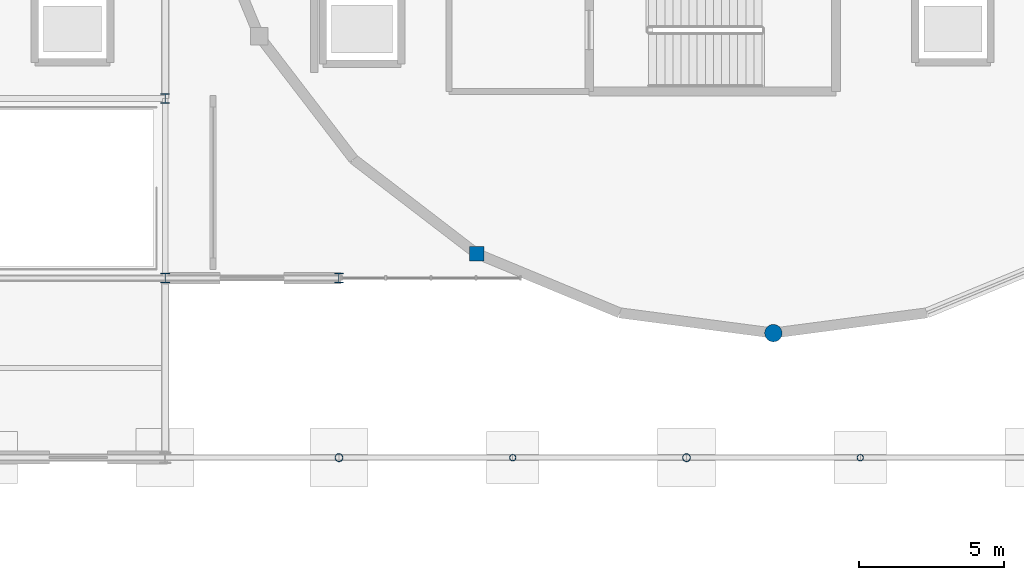
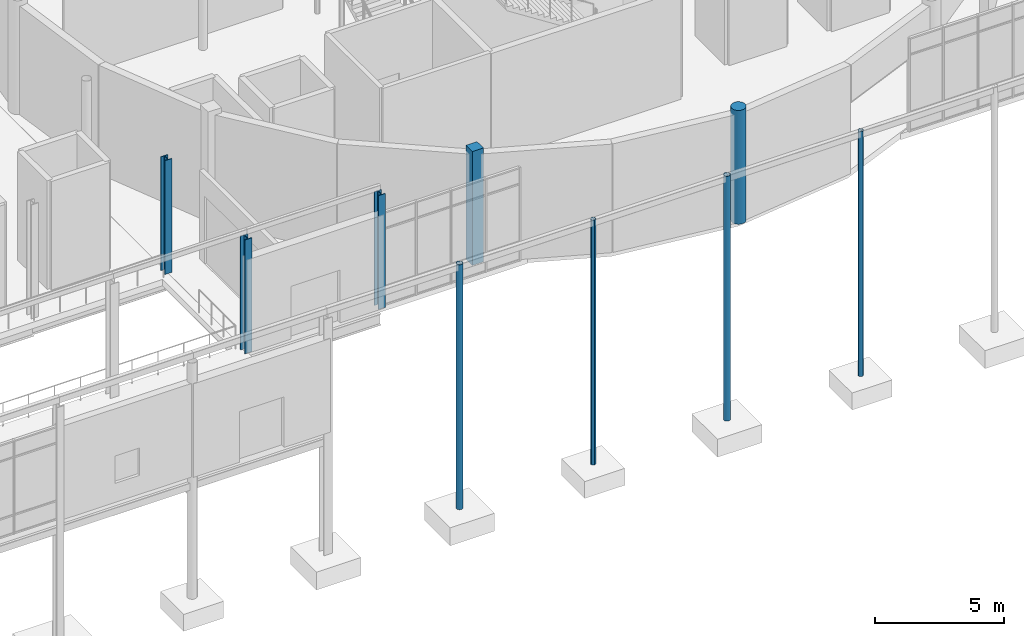
# One storey, part 10 of 98: 9 columns.
"""IFC4 building model written with IfcOpenShell, lengths in metres."""

import ifcopenshell
import ifcopenshell.guid

model = None  # the IFC model being written
_history = None  # IfcOwnerHistory: only IFC2X3 demands one
_inside = {}  # id of a spatial element -> (the spatial element, [elements in it])
_under = {}  # id of a project, library or spatial element -> (it, [spatial elements below it])
_declared = {}  # id of a project -> (the project, [libraries it declares])
_typed = {}  # id of a type object -> (the type object, [elements of that type])
_made_of = {}  # id of a material, layer set ... -> (it, [elements and type objects made of it])


def new_model(schema):
    """Start an empty IFC model of exactly this schema.

    Asked for "IFC4X3", IfcOpenShell would pick the latest addendum, in which some entities
    have other attributes; the version numbers below select the first issue.
    IFC2X3 requires an IfcOwnerHistory on every rooted entity: one is made here for all.
    """
    global model, _history
    if schema == "IFC4X3":
        model = ifcopenshell.file(schema_version=(4, 3, 0, 0))
    else:
        model = ifcopenshell.file(schema=schema)
    _inside.clear()
    _under.clear()
    _declared.clear()
    _typed.clear()
    _made_of.clear()
    _history = None
    if model.schema == "IFC2X3":
        org = make("IfcOrganization", Name="unknown")
        user = make(
            "IfcPersonAndOrganization",
            ThePerson=make("IfcPerson", FamilyName="unknown"),
            TheOrganization=org,
        )
        app = make(
            "IfcApplication",
            ApplicationDeveloper=org,
            Version="unknown",
            ApplicationFullName="unknown",
            ApplicationIdentifier="unknown",
        )
        _history = make(
            "IfcOwnerHistory",
            OwningUser=user,
            OwningApplication=app,
            ChangeAction="ADDED",
            CreationDate=0,
        )
    return model


def make(cls, **values):
    """One entity of the class cls with the attributes given. An attribute that is None is left unset."""
    return model.create_entity(
        cls, **{name: value for name, value in values.items() if value is not None}
    )


def rooted(cls, **values):
    """An entity with a GlobalId (a new one), such as an element, a storey or a relation."""
    return make(cls, GlobalId=ifcopenshell.guid.new(), OwnerHistory=_history, **values)


def si_unit(unit_type, name, prefix=None):
    """IfcSIUnit, for example si_unit("LENGTHUNIT", "METRE", prefix="MILLI")."""
    return make("IfcSIUnit", UnitType=unit_type, Prefix=prefix, Name=name)


def assignment(units):
    """IfcUnitAssignment: the units of a project."""
    return None if units is None else make("IfcUnitAssignment", Units=units)


def point(xyz):
    """IfcCartesianPoint."""
    return None if xyz is None else make("IfcCartesianPoint", Coordinates=xyz)


def direction(xyz):
    """IfcDirection."""
    return None if xyz is None else make("IfcDirection", DirectionRatios=xyz)


def frame(location, z_axis=None, x_axis=None):
    """IfcAxis2Placement3D, a coordinate frame: its origin and axes. An axis left out is left unset."""
    return make(
        "IfcAxis2Placement3D",
        Location=point(location),
        Axis=direction(z_axis),
        RefDirection=direction(x_axis),
    )


def frame_2d(location, x_axis=None):
    """IfcAxis2Placement2D, a coordinate frame in the plane: its origin and x axis."""
    return make(
        "IfcAxis2Placement2D", Location=point(location), RefDirection=direction(x_axis)
    )


def origin():
    """The frame at (0, 0, 0) with its axes left unset."""
    return frame((0.0, 0.0, 0.0))


def origin_2d():
    """The frame at (0, 0) in the plane with its x axis left unset."""
    return frame_2d((0.0, 0.0))


def place(relative_to, where):
    """IfcLocalPlacement: puts the frame where relative to a parent placement (None: the world)."""
    return make(
        "IfcLocalPlacement", PlacementRelTo=relative_to, RelativePlacement=where
    )


def context(
    kind, dimensions, precision=None, world=None, true_north=None, identifier=None
):
    """IfcGeometricRepresentationContext, for example the 3D "Model" context."""
    return make(
        "IfcGeometricRepresentationContext",
        ContextIdentifier=identifier,
        ContextType=kind,
        CoordinateSpaceDimension=dimensions,
        Precision=precision,
        WorldCoordinateSystem=world,
        TrueNorth=true_north,
    )


def subcontext(parent, identifier, kind, view, scale=None):
    """IfcGeometricRepresentationSubContext, for example "Body" below "Model"."""
    return make(
        "IfcGeometricRepresentationSubContext",
        ContextIdentifier=identifier,
        ContextType=kind,
        ParentContext=parent,
        TargetScale=scale,
        TargetView=view,
    )


def project(units=None, contexts=None):
    """IfcProject with its units and contexts."""
    return rooted(
        "IfcProject",
        Name="project",
        RepresentationContexts=contexts,
        UnitsInContext=assignment(units),
    )


def spatial(cls, under=None, at=None, **own):
    """A site, building, storey or space (cls), placed at a placement, below another one or the project."""
    s = rooted(cls, ObjectPlacement=at, **own)
    if under is not None:
        _under.setdefault(under.id(), (under, []))[1].append(s)
    return s


def profile(cls, at=None, kind="AREA", **sizes):
    """A parametric profile (cls). Its sizes go by their IFC names, for example OverallWidth=200.0."""
    return make(cls, ProfileType=kind, Position=at, **sizes)


def rectangle(**sizes):
    """IfcRectangleProfileDef."""
    return profile("IfcRectangleProfileDef", **sizes)


def circle(**sizes):
    """IfcCircleProfileDef."""
    return profile("IfcCircleProfileDef", **sizes)


def hollow_circle(**sizes):
    """IfcCircleHollowProfileDef."""
    return profile("IfcCircleHollowProfileDef", **sizes)


def i_section(**sizes):
    """IfcIShapeProfileDef."""
    return profile("IfcIShapeProfileDef", **sizes)


def extrude(swept, where, along, depth):
    """IfcExtrudedAreaSolid: the profile swept, set in the frame where, extruded along a direction by depth."""
    return make(
        "IfcExtrudedAreaSolid",
        SweptArea=swept,
        Position=where,
        ExtrudedDirection=direction(along),
        Depth=depth,
    )


def shape(context_of_items, identifier, shape_type, items):
    """IfcShapeRepresentation: the items that make up one representation, for example the "Body"."""
    return make(
        "IfcShapeRepresentation",
        ContextOfItems=context_of_items,
        RepresentationIdentifier=identifier,
        RepresentationType=shape_type,
        Items=items,
    )


def material(Name=None, Category=None):
    """IfcMaterial."""
    return make("IfcMaterial", Name=Name, Category=Category)


def material_profile(
    of_material, cross_section, Name=None, Category=None, Priority=None
):
    """IfcMaterialProfile: a cross section and its material."""
    return make(
        "IfcMaterialProfile",
        Name=Name,
        Material=of_material,
        Profile=cross_section,
        Priority=Priority,
        Category=Category,
    )


def profile_set(profiles, Name=None, composite=None):
    """IfcMaterialProfileSet."""
    return make(
        "IfcMaterialProfileSet",
        Name=Name,
        MaterialProfiles=profiles,
        CompositeProfile=composite,
    )


def made_of(thing, what):
    """Note that an element or type object is made of a material, layer set ...; save() writes the relation."""
    if what is not None:
        _made_of.setdefault(what.id(), (what, []))[1].append(thing)
    return thing


def type_object(cls, material=None, **own):
    """A type object (cls), such as IfcWallType, which elements share."""
    return made_of(rooted(cls, **own), material)


def element(
    cls,
    number,
    at=None,
    inside=None,
    cuts=None,
    type_object=None,
    material=None,
    context=None,
    identifier="Body",
    shape_type=None,
    held_by="IfcProductDefinitionShape",
    body=None,
    shapes=None,
    **own,
):
    """One element of the class cls, such as IfcWall. Its Tag is "e" and its number.

    at: its placement. inside: the storey or other place that contains it. cuts: it is an
    opening in that element (IfcRelVoidsElement). A single representation is given by context,
    identifier, shape_type and body (its items); several are given by shapes. held_by: the class
    of the entity that holds the representations. save() writes the other relations.
    """
    e = rooted(cls, Tag="e%d" % number, ObjectPlacement=at, **own)
    if body is not None:
        shapes = [shape(context, identifier, shape_type, body)]
    if shapes is not None:
        e.Representation = make(held_by, Representations=shapes)
    if inside is not None:
        _inside.setdefault(inside.id(), (inside, []))[1].append(e)
    if cuts is not None:
        rooted(
            "IfcRelVoidsElement", RelatingBuildingElement=cuts, RelatedOpeningElement=e
        )
    if type_object is not None:
        _typed.setdefault(type_object.id(), (type_object, []))[1].append(e)
    return made_of(e, material)


def aggregate(whole, parts):
    """IfcRelAggregates: a whole, such as a stair, and the parts it consists of."""
    return rooted("IfcRelAggregates", RelatingObject=whole, RelatedObjects=parts)


def save(model, path):
    """Write the relations noted so far, then the file.

    IfcRelAggregates (storeys below a building ...), IfcRelContainedInSpatialStructure (elements
    in a storey), IfcRelDefinesByType, IfcRelAssociatesMaterial and IfcRelDeclares: one each for
    every whole, place, type object, material and project.
    """
    for whole, parts in _under.values():
        aggregate(whole, parts)
    for where, things in _inside.values():
        rooted(
            "IfcRelContainedInSpatialStructure",
            RelatedElements=things,
            RelatingStructure=where,
        )
    for kind, things in _typed.values():
        rooted("IfcRelDefinesByType", RelatedObjects=things, RelatingType=kind)
    for what, things in _made_of.values():
        rooted("IfcRelAssociatesMaterial", RelatedObjects=things, RelatingMaterial=what)
    for by, libraries in _declared.values():
        rooted("IfcRelDeclares", RelatingContext=by, RelatedDefinitions=libraries)
    model.write(path)


model = new_model("IFC4")

# Units and contexts
model_context = context("Model", 3, precision=1e-05, world=origin(), true_north=direction((0.0, 1.0)))
body_context = subcontext(model_context, "Body", "Model", "MODEL_VIEW")
ifc_project = project(units=[si_unit("LENGTHUNIT", "METRE"), si_unit("AREAUNIT", "SQUARE_METRE"), si_unit("VOLUMEUNIT", "CUBIC_METRE"), si_unit("PLANEANGLEUNIT", "RADIAN"), si_unit("MASSUNIT", "GRAM", prefix="KILO")], contexts=[model_context])

# Site, building, storey
site_placement = place(None, origin())
site = spatial("IfcSite", under=ifc_project, at=site_placement, CompositionType="ELEMENT")
building_placement = place(site_placement, origin())
building = spatial("IfcBuilding", under=site, at=building_placement, Name="Mirzam Square Science Centre", CompositionType="ELEMENT")
storey_placement = place(building_placement, origin())
storey = spatial("IfcBuildingStorey", under=building, at=storey_placement, Name="L00", CompositionType="ELEMENT", Elevation=0.0)

# Columns
ifc_material_1 = material(Name="Steel S355", Category="steel")
ifc_material_profile_1 = material_profile(ifc_material_1, hollow_circle(Radius=0.109619140625, WallThickness=0.010009765625, at=origin_2d()), Name="219.1x10.0CHS")
ifc_profile_set_1 = profile_set([ifc_material_profile_1], Name="Steel S355")
column_type_1 = type_object("IfcColumnType", Name="COL-CHS219", PredefinedType="COLUMN", material=ifc_profile_set_1)
for number, where, z_axis, x_axis, name in (
    (1, (72.0, 37.199951171875, -5.800048828125), (0.0, 0.0, 1.0), (1.0, 0.0, 0.0), "L00 column G13-07"),
    (2, (84.0, 37.199951171875, -5.800048828125), (0.0, 0.0, 1.0), (1.0, 0.0, 0.0), "L00 column G15-07"),
):
    element("IfcColumn", number, at=place(storey_placement, frame(where, z_axis=z_axis, x_axis=x_axis)), inside=storey, type_object=column_type_1, Name=name, PredefinedType="COLUMN", context=body_context, shape_type="SweptSolid", body=[
        extrude(hollow_circle(Radius=0.109619140625, WallThickness=0.010009765625, at=origin_2d()), origin(), (0.0, 0.0, 1.0), 11.6201171875),
    ])
ifc_material_profile_2 = material_profile(ifc_material_1, hollow_circle(Radius=0.136474609375, WallThickness=0.010009765625, at=origin_2d()), Name="273.0x10.0CHS")
ifc_profile_set_2 = profile_set([ifc_material_profile_2], Name="Steel S355")
column_type_2 = type_object("IfcColumnType", Name="COL-CHS273", PredefinedType="COLUMN", material=ifc_profile_set_2)
for number, where, z_axis, x_axis, name in (
    (3, (66.0, 37.199951171875, -5.800048828125), (0.0, 0.0, 1.0), (1.0, 0.0, 0.0), "L00 column G12-07"),
    (4, (78.0, 37.199951171875, -5.800048828125), (0.0, 0.0, 1.0), (1.0, 0.0, 0.0), "L00 column G14-07"),
):
    element("IfcColumn", number, at=place(storey_placement, frame(where, z_axis=z_axis, x_axis=x_axis)), inside=storey, type_object=column_type_2, Name=name, PredefinedType="COLUMN", context=body_context, shape_type="SweptSolid", body=[
        extrude(hollow_circle(Radius=0.136474609375, WallThickness=0.010009765625, at=origin_2d()), origin(), (0.0, 0.0, 1.0), 11.6201171875),
    ])
ifc_material_profile_3 = material_profile(ifc_material_1, i_section(OverallWidth=0.314453125, OverallDepth=0.33984375, WebThickness=0.01904296875, FlangeThickness=0.031494140625, FilletRadius=0.01513671875, at=origin_2d()), Name="305x305x198UC")
ifc_profile_set_3 = profile_set([ifc_material_profile_3], Name="Steel S355")
column_type_3 = type_object("IfcColumnType", Name="COL-UC305B", PredefinedType="COLUMN", material=ifc_profile_set_3)
for number, where, z_axis, x_axis, name in (
    (5, (60.0, 49.60009765625, 0.0), (0.0, 0.0, 1.0), (1.0, 0.0, 0.0), "L00 column G11-09"),
    (6, (66.0, 43.39990234375, 0.0), (0.0, 0.0, 1.0), (1.0, 0.0, 0.0), "L00 column G12-08"),
):
    element("IfcColumn", number, at=place(storey_placement, frame(where, z_axis=z_axis, x_axis=x_axis)), inside=storey, type_object=column_type_3, Name=name, PredefinedType="COLUMN", context=body_context, shape_type="SweptSolid", body=[
        extrude(i_section(OverallWidth=0.314453125, OverallDepth=0.33984375, WebThickness=0.01904296875, FlangeThickness=0.031494140625, FilletRadius=0.01513671875, at=origin_2d()), origin(), (0.0, 0.0, 1.0), 5.39990234375),
    ])
ifc_material_profile_4 = material_profile(ifc_material_1, i_section(OverallWidth=0.318359375, OverallDepth=0.3525390625, WebThickness=0.02294921875, FlangeThickness=0.03759765625, FilletRadius=0.01513671875, at=origin_2d()), Name="305x305x240UC")
ifc_profile_set_4 = profile_set([ifc_material_profile_4], Name="Steel S355")
column_type_4 = type_object("IfcColumnType", Name="COL-UC305C", PredefinedType="COLUMN", material=ifc_profile_set_4)
column_1_placement = place(storey_placement, frame((60.0, 43.39990234375, 0.0), z_axis=(0.0, 0.0, 1.0), x_axis=(1.0, 0.0, 0.0)))
element("IfcColumn", 7, at=column_1_placement, inside=storey, type_object=column_type_4, Name="L00 column G11-08", PredefinedType="COLUMN", context=body_context, shape_type="SweptSolid", body=[
    extrude(i_section(OverallWidth=0.318359375, OverallDepth=0.3525390625, WebThickness=0.02294921875, FlangeThickness=0.03759765625, FilletRadius=0.01513671875, at=origin_2d()), origin(), (0.0, 0.0, 1.0), 5.39990234375),
])
ifc_material_2 = material(Name="Concrete C45/55", Category="concrete")
ifc_material_profile_5 = material_profile(ifc_material_2, rectangle(XDim=0.5, YDim=0.5, at=origin_2d()), Name="RC500x500")
ifc_profile_set_5 = profile_set([ifc_material_profile_5], Name="Concrete C45/55")
column_type_5 = type_object("IfcColumnType", Name="PIL-RC500", PredefinedType="PILASTER", material=ifc_profile_set_5)
column_2_placement = place(storey_placement, frame((70.75, 44.24658203125, 0.0), z_axis=(0.0, 0.0, 1.0), x_axis=(1.0, 0.0, 0.0)))
element("IfcColumn", 8, at=column_2_placement, inside=storey, type_object=column_type_5, Name="L00 drum pilaster 17", PredefinedType="PILASTER", context=body_context, shape_type="SweptSolid", body=[
    extrude(rectangle(XDim=0.5, YDim=0.5, at=origin_2d()), origin(), (0.0, 0.0, 1.0), 5.39990234375),
])
ifc_material_profile_6 = material_profile(ifc_material_2, circle(Radius=0.300048828125, at=origin_2d()), Name="RCD600")
ifc_profile_set_6 = profile_set([ifc_material_profile_6], Name="Concrete C45/55")
column_type_6 = type_object("IfcColumnType", Name="PIL-RCD600", PredefinedType="PILASTER", material=ifc_profile_set_6)
column_3_placement = place(storey_placement, frame((81.0, 41.5, 0.0), z_axis=(0.0, 0.0, 1.0), x_axis=(1.0, 0.0, 0.0)))
element("IfcColumn", 9, at=column_3_placement, inside=storey, type_object=column_type_6, Name="L00 drum pilaster 19", PredefinedType="PILASTER", context=body_context, shape_type="SweptSolid", body=[
    extrude(circle(Radius=0.300048828125, at=origin_2d()), origin(), (0.0, 0.0, 1.0), 5.39990234375),
])

save(model, "model.ifc")
